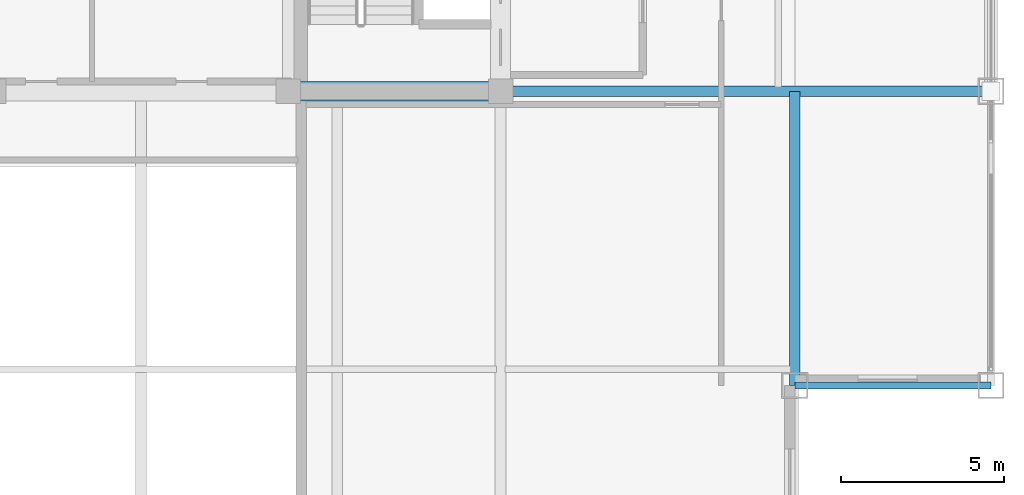
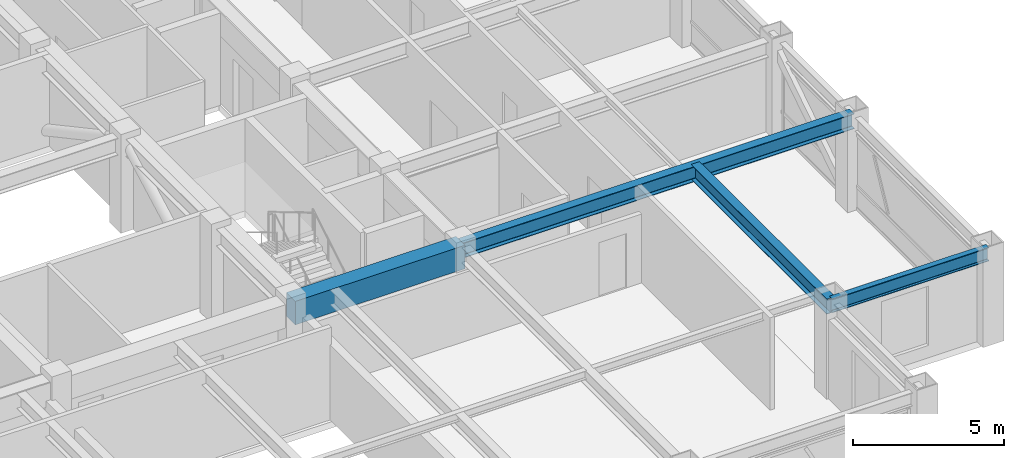
# One storey, part 11 of 29: 4 beams.
"""IFC4 building model written with IfcOpenShell, lengths in metres."""

from ifc_helpers import new_model, si_unit, direction, frame, origin, origin_2d, place, context, subcontext, project, spatial, rectangle, i_section, extrude, source, transform, mapped, material, material_profile, profile_set, type_object, element, save


model = new_model("IFC4")

# Units and contexts
model_context = context("Model", 3, precision=1e-05, world=origin(), true_north=direction((0.0, 1.0)))
body_context = subcontext(model_context, "Body", "Model", "MODEL_VIEW")
ifc_project = project(units=[si_unit("LENGTHUNIT", "METRE"), si_unit("AREAUNIT", "SQUARE_METRE"), si_unit("VOLUMEUNIT", "CUBIC_METRE"), si_unit("PLANEANGLEUNIT", "RADIAN"), si_unit("MASSUNIT", "GRAM", prefix="KILO")], contexts=[model_context])

# Site, building, storey
site_placement = place(None, origin())
site = spatial("IfcSite", under=ifc_project, at=site_placement, CompositionType="ELEMENT")
building_placement = place(site_placement, origin())
building = spatial("IfcBuilding", under=site, at=building_placement, Name="Khorayat Bourse Tower", CompositionType="ELEMENT")
storey_placement = place(building_placement, frame((0.0, 0.0, 354.300048828125)))
storey = spatial("IfcBuildingStorey", under=building, at=storey_placement, Name="L84", CompositionType="ELEMENT", Elevation=354.300048828125)

# Beams
ifc_material_1 = material(Name="Concrete C60/75", Category="concrete")
ifc_material_profile_1 = material_profile(ifc_material_1, rectangle(XDim=0.60009765625, YDim=0.949951171875, at=origin_2d()), Name="RC 600x950")
ifc_profile_set_1 = profile_set([ifc_material_profile_1], Name="Concrete C60/75")
beam_type_1 = type_object("IfcBeamType", Name="BM-COUP-950", PredefinedType="BEAM", material=ifc_profile_set_1)
shared_shape_1 = source(origin(), body_context, "Body", "SweptSolid", [
    extrude(rectangle(XDim=0.60009765625, YDim=0.949951171875, at=origin_2d()), origin(), (0.0, 0.0, 1.0), 6.5),
])
beam_1_placement = place(storey_placement, frame((4.5, -11.0, 3.264892578125), z_axis=(1.0, 0.0, 0.0), x_axis=(0.0, 1.0, 0.0)))
element("IfcBeam", 1, at=beam_1_placement, inside=storey, type_object=beam_type_1, Name="L84 BM-COUP-950 BM-L84-CRY-19", PredefinedType="BEAM", context=body_context, shape_type="MappedRepresentation", body=[
    mapped(shared_shape_1, transform((0.0, 0.0, 0.0), scale=1.0)),
])
ifc_material_2 = material(Name="Steel ASTM A992 Grade 50", Category="steel")
ifc_material_profile_2 = material_profile(ifc_material_2, i_section(OverallWidth=0.214111328125, OverallDepth=0.549072265625, WebThickness=0.0146484375, FlangeThickness=0.023681640625, FilletRadius=0.013916015625, at=origin_2d()), Name="W530X138")
ifc_profile_set_2 = profile_set([ifc_material_profile_2], Name="Steel ASTM A992 Grade 50")
beam_type_2 = type_object("IfcBeamType", Name="BM-SPAN-530", PredefinedType="SPANDREL", material=ifc_profile_set_2)
shared_shape_2 = source(origin(), body_context, "Body", "SweptSolid", [
    extrude(i_section(OverallWidth=0.214111328125, OverallDepth=0.549072265625, WebThickness=0.0146484375, FlangeThickness=0.023681640625, FilletRadius=0.013916015625, at=origin_2d()), origin(), (0.0, 0.0, 1.0), 6.0),
])
beam_2_placement = place(storey_placement, frame((20.0, -20.0, 3.46533203125), z_axis=(1.0, 0.0, 0.0), x_axis=(0.0, 1.0, 0.0)))
element("IfcBeam", 2, at=beam_2_placement, inside=storey, type_object=beam_type_2, Name="L84 BM-SPAN-530 BM-L84-SPN-031", PredefinedType="SPANDREL", context=body_context, shape_type="MappedRepresentation", body=[
    mapped(shared_shape_2, transform((0.0, 0.0, 0.0), scale=1.0)),
])
ifc_material_profile_3 = material_profile(ifc_material_2, i_section(OverallWidth=0.324951171875, OverallDepth=0.615966796875, WebThickness=0.013916015625, FlangeThickness=0.021484375, FilletRadius=0.01611328125, at=origin_2d()), Name="W610X174")
ifc_profile_set_3 = profile_set([ifc_material_profile_3], Name="Steel ASTM A992 Grade 50")
beam_type_3 = type_object("IfcBeamType", Name="BM-GIRD-610", PredefinedType="BEAM", material=ifc_profile_set_3)
shared_shape_3 = source(origin(), body_context, "Body", "SweptSolid", [
    extrude(i_section(OverallWidth=0.324951171875, OverallDepth=0.615966796875, WebThickness=0.013916015625, FlangeThickness=0.021484375, FilletRadius=0.01611328125, at=origin_2d()), origin(), (0.0, 0.0, 1.0), 15.0),
])
beam_3_placement = place(storey_placement, frame((11.0, -11.0, 3.431884765625), z_axis=(1.0, 0.0, 0.0), x_axis=(0.0, 1.0, 0.0)))
element("IfcBeam", 3, at=beam_3_placement, inside=storey, type_object=beam_type_3, Name="L84 BM-GIRD-610 BM-L84-RADX-066", PredefinedType="BEAM", context=body_context, shape_type="MappedRepresentation", body=[
    mapped(shared_shape_3, transform((0.0, 0.0, 0.0), scale=1.0)),
])
shared_shape_4 = source(origin(), body_context, "Body", "SweptSolid", [
    extrude(i_section(OverallWidth=0.324951171875, OverallDepth=0.615966796875, WebThickness=0.013916015625, FlangeThickness=0.021484375, FilletRadius=0.01611328125, at=origin_2d()), origin(), (0.0, 0.0, 1.0), 9.0),
])
beam_4_placement = place(storey_placement, frame((20.0, -20.0, 3.431884765625), z_axis=(0.0, 1.0, 0.0), x_axis=(-1.0, 0.0, 0.0)))
element("IfcBeam", 4, at=beam_4_placement, inside=storey, type_object=beam_type_3, Name="L84 BM-GIRD-610 BM-L84-CNRY-078", PredefinedType="BEAM", context=body_context, shape_type="MappedRepresentation", body=[
    mapped(shared_shape_4, transform((0.0, 0.0, 0.0), scale=1.0)),
])

save(model, "model.ifc")
